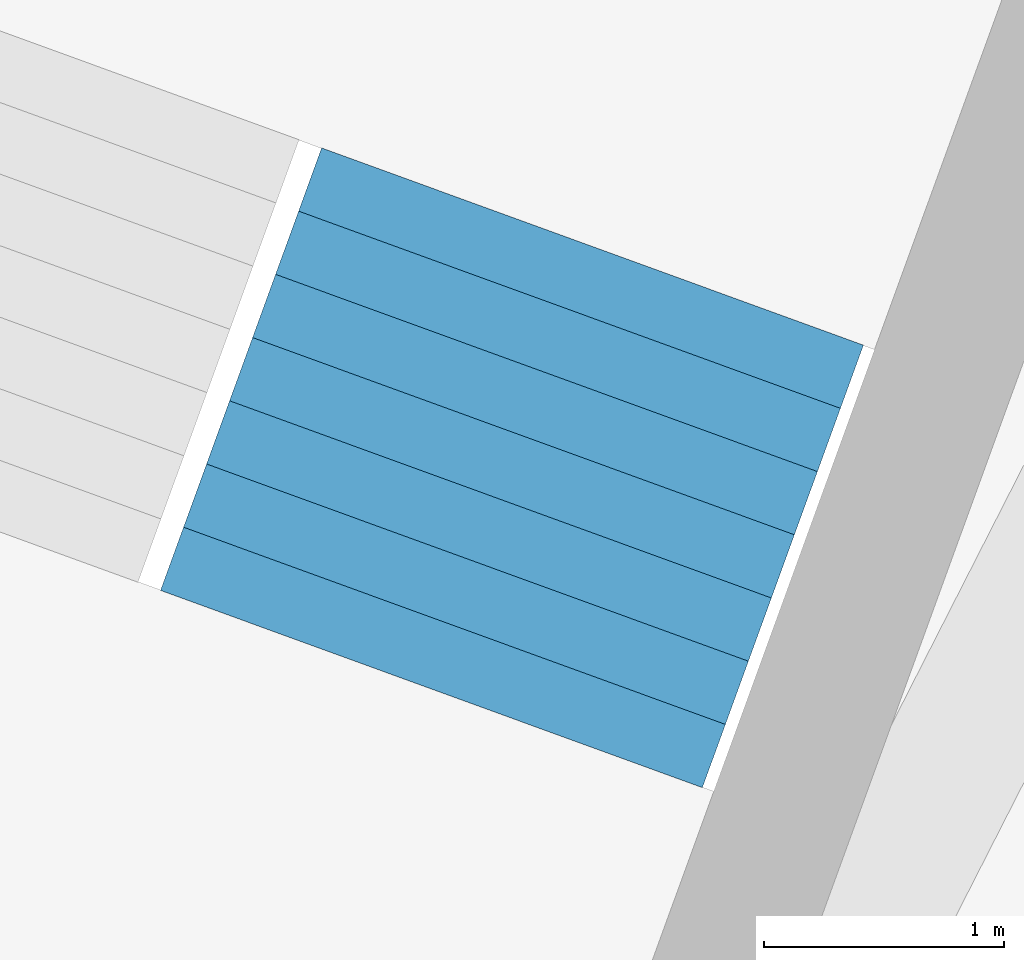
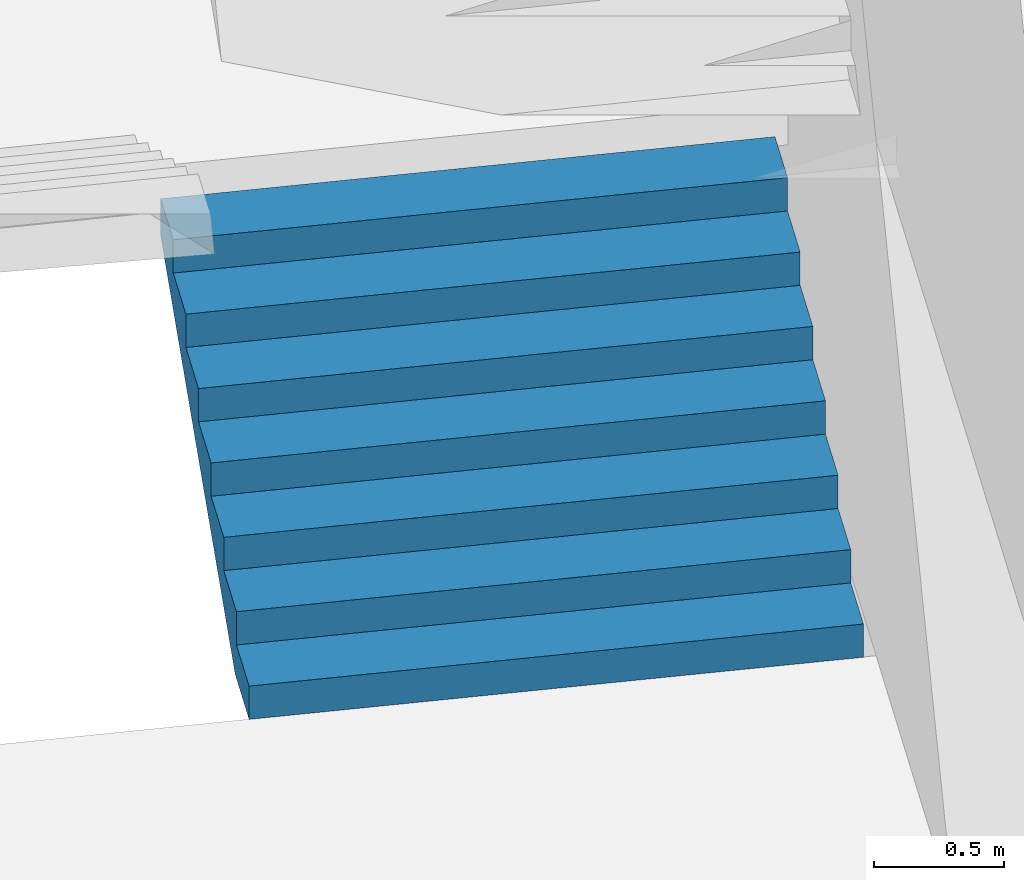
# One storey, part 47 of 73: 1 stair flight, 1 element without a shape of its own.
"""IFC4 building model written with IfcOpenShell, lengths in metres."""

from ifc_helpers import new_model, si_unit, direction, frame, origin, place, context, subcontext, project, spatial, triangles, material, type_object, element, aggregate, save


model = new_model("IFC4")

# Units and contexts
model_context = context("Model", 3, precision=1e-05, world=origin(), true_north=direction((0.0, 1.0)))
body_context = subcontext(model_context, "Body", "Model", "MODEL_VIEW")
ifc_project = project(units=[si_unit("LENGTHUNIT", "METRE"), si_unit("AREAUNIT", "SQUARE_METRE"), si_unit("VOLUMEUNIT", "CUBIC_METRE"), si_unit("PLANEANGLEUNIT", "RADIAN"), si_unit("MASSUNIT", "GRAM", prefix="KILO")], contexts=[model_context])

# Site, building, storey
site_placement = place(None, origin())
site = spatial("IfcSite", under=ifc_project, at=site_placement, CompositionType="ELEMENT")
building_placement = place(site_placement, origin())
building = spatial("IfcBuilding", under=site, at=building_placement, Name="Lantaw Convention Tower", CompositionType="ELEMENT")
storey_placement = place(building_placement, frame((0.0, 0.0, 27.0)))
storey = spatial("IfcBuildingStorey", under=building, at=storey_placement, Name="L04", CompositionType="ELEMENT", Elevation=27.0)

# Stair, stair flight
ifc_material = material(Name="Concrete C35/45", Category="concrete")
stair_type = type_object("IfcStairType", Name="Exit stair 2400 riser 156.25 in 4 flights", PredefinedType="HALF_TURN_STAIR", material=ifc_material)
stair_placement = place(storey_placement, origin())
stair = element("IfcStair", 1, at=stair_placement, inside=storey, type_object=stair_type, Name="Podium exit stair P5 L04", PredefinedType="HALF_TURN_STAIR")
stair_flight_type = type_object("IfcStairFlightType", Name="Stair flight 2400 riser 156.25", PredefinedType="STRAIGHT", material=ifc_material)
stair_flight_placement = place(storey_placement, frame((10.476318359375, 25.128662109375, 0.0), z_axis=(0.0, 0.0, 1.0), x_axis=(0.342020143326, 0.939692620786, 0.0)))
stair_flight = element("IfcStairFlight", 2, at=stair_flight_placement, type_object=stair_flight_type, Name="P5 flight 1", NumberOfRisers=8, NumberOfTreads=7, PredefinedType="STRAIGHT", RiserHeight=0.15625, TreadLength=0.28, context=body_context, shape_type="Tessellation", body=[
    triangles([(0.0, 1.199951171875, 0.0), (0.0, 1.199951171875, 0.15625), (0.28, 1.199951171875, 0.0), (0.28, 1.199951171875, 0.15625), (0.28, 1.199951171875, 0.3125), (0.3076200632058044, 1.199951171875, 0.0), (0.3076200632058044, 1.199951171875, 0.3125), (0.56, 1.199951171875, 0.14083701830033238), (0.56, 1.199951171875, 0.3125), (0.56, 1.199951171875, 0.46875), (0.8400000000000001, 1.199951171875, 0.29708701830033235), (0.8400000000000001, 1.199951171875, 0.46875), (0.8400000000000001, 1.199951171875, 0.625), (1.12, 1.199951171875, 0.45333701830033235), (1.12, 1.199951171875, 0.625), (1.12, 1.199951171875, 0.78125), (1.4000000000000001, 1.199951171875, 0.6095870183003324), (1.4000000000000001, 1.199951171875, 0.78125), (1.4000000000000001, 1.199951171875, 0.9375), (1.6800000000000002, 1.199951171875, 0.7658370183003324), (1.6800000000000002, 1.199951171875, 0.9375), (1.6800000000000002, 1.199951171875, 1.09375), (1.9600000000000002, 1.199951171875, 0.9220870183003324), (1.9600000000000002, 1.199951171875, 1.09375), (0.0, -1.199951171875, 0.0), (0.0, -1.199951171875, 0.15625), (0.28, -1.199951171875, 0.0), (0.28, -1.199951171875, 0.15625), (0.28, -1.199951171875, 0.3125), (0.3076200632058044, -1.199951171875, 0.0), (0.3076200632058044, -1.199951171875, 0.3125), (0.56, -1.199951171875, 0.14083701830033238), (0.56, -1.199951171875, 0.3125), (0.56, -1.199951171875, 0.46875), (0.8400000000000001, -1.199951171875, 0.29708701830033235), (0.8400000000000001, -1.199951171875, 0.46875), (0.8400000000000001, -1.199951171875, 0.625), (1.12, -1.199951171875, 0.45333701830033235), (1.12, -1.199951171875, 0.625), (1.12, -1.199951171875, 0.78125), (1.4000000000000001, -1.199951171875, 0.6095870183003324), (1.4000000000000001, -1.199951171875, 0.78125), (1.4000000000000001, -1.199951171875, 0.9375), (1.6800000000000002, -1.199951171875, 0.7658370183003324), (1.6800000000000002, -1.199951171875, 0.9375), (1.6800000000000002, -1.199951171875, 1.09375), (1.9600000000000002, -1.199951171875, 0.9220870183003324), (1.9600000000000002, -1.199951171875, 1.09375), (0.0, 0.239990234375, 0.15625), (0.0, 0.239990234375, 0.0), (0.0, 0.1919921875, 0.15625), (0.0, 0.1919921875, 0.0), (0.0, 0.143994140625, 0.15625), (0.0, 0.143994140625, 0.0), (0.0, 0.09599609375, 0.15625), (0.0, 0.09599609375, 0.0), (0.0, 0.047998046875, 0.15625), (0.0, 0.047998046875, 0.0), (0.0, 0.0, 0.15625), (0.0, 0.0, 0.0), (0.0, -0.047998046875, 0.15625), (0.0, -0.047998046875, 0.0), (0.0, -0.09599609375, 0.15625), (0.0, -0.09599609375, 0.0), (0.0, -0.143994140625, 0.15625), (0.0, -0.143994140625, 0.0), (0.0, -0.1919921875, 0.15625), (0.0, -0.1919921875, 0.0), (0.0, -0.239990234375, 0.15625), (0.0, -0.239990234375, 0.0), (0.28, 0.239990234375, 0.3125), (0.28, 0.239990234375, 0.15625), (0.28, 0.1919921875, 0.3125), (0.28, 0.1919921875, 0.15625), (0.28, 0.143994140625, 0.3125), (0.28, 0.143994140625, 0.15625), (0.28, 0.09599609375, 0.3125), (0.28, 0.09599609375, 0.15625), (0.28, 0.047998046875, 0.3125), (0.28, 0.047998046875, 0.15625), (0.28, 0.0, 0.3125), (0.28, 0.0, 0.15625), (0.28, -0.047998046875, 0.3125), (0.28, -0.047998046875, 0.15625), (0.28, -0.09599609375, 0.3125), (0.28, -0.09599609375, 0.15625), (0.28, -0.143994140625, 0.3125), (0.28, -0.143994140625, 0.15625), (0.28, -0.1919921875, 0.3125), (0.28, -0.1919921875, 0.15625), (0.28, -0.239990234375, 0.3125), (0.28, -0.239990234375, 0.15625), (0.56, 0.239990234375, 0.46875), (0.56, 0.239990234375, 0.3125), (0.56, 0.1919921875, 0.46875), (0.56, 0.1919921875, 0.3125), (0.56, 0.143994140625, 0.46875), (0.56, 0.143994140625, 0.3125), (0.56, 0.09599609375, 0.46875), (0.56, 0.09599609375, 0.3125), (0.56, 0.047998046875, 0.46875), (0.56, 0.047998046875, 0.3125), (0.56, 0.0, 0.46875), (0.56, 0.0, 0.3125), (0.56, -0.047998046875, 0.46875), (0.56, -0.047998046875, 0.3125), (0.56, -0.09599609375, 0.46875), (0.56, -0.09599609375, 0.3125), (0.56, -0.143994140625, 0.46875), (0.56, -0.143994140625, 0.3125), (0.56, -0.1919921875, 0.46875), (0.56, -0.1919921875, 0.3125), (0.56, -0.239990234375, 0.46875), (0.56, -0.239990234375, 0.3125), (0.8400000000000001, 0.239990234375, 0.625), (0.8400000000000001, 0.239990234375, 0.46875), (0.8400000000000001, 0.1919921875, 0.625), (0.8400000000000001, 0.1919921875, 0.46875), (0.8400000000000001, 0.143994140625, 0.625), (0.8400000000000001, 0.143994140625, 0.46875), (0.8400000000000001, 0.09599609375, 0.625), (0.8400000000000001, 0.09599609375, 0.46875), (0.8400000000000001, 0.047998046875, 0.625), (0.8400000000000001, 0.047998046875, 0.46875), (0.8400000000000001, 0.0, 0.625), (0.8400000000000001, 0.0, 0.46875), (0.8400000000000001, -0.047998046875, 0.625), (0.8400000000000001, -0.047998046875, 0.46875), (0.8400000000000001, -0.09599609375, 0.625), (0.8400000000000001, -0.09599609375, 0.46875), (0.8400000000000001, -0.143994140625, 0.625), (0.8400000000000001, -0.143994140625, 0.46875), (0.8400000000000001, -0.1919921875, 0.625), (0.8400000000000001, -0.1919921875, 0.46875), (0.8400000000000001, -0.239990234375, 0.625), (0.8400000000000001, -0.239990234375, 0.46875), (1.12, 0.239990234375, 0.78125), (1.12, 0.239990234375, 0.625), (1.12, 0.1919921875, 0.78125), (1.12, 0.1919921875, 0.625), (1.12, 0.143994140625, 0.78125), (1.12, 0.143994140625, 0.625), (1.12, 0.09599609375, 0.78125), (1.12, 0.09599609375, 0.625), (1.12, 0.047998046875, 0.78125), (1.12, 0.047998046875, 0.625), (1.12, 0.0, 0.78125), (1.12, 0.0, 0.625), (1.12, -0.047998046875, 0.78125), (1.12, -0.047998046875, 0.625), (1.12, -0.09599609375, 0.78125), (1.12, -0.09599609375, 0.625), (1.12, -0.143994140625, 0.78125), (1.12, -0.143994140625, 0.625), (1.12, -0.1919921875, 0.78125), (1.12, -0.1919921875, 0.625), (1.12, -0.239990234375, 0.78125), (1.12, -0.239990234375, 0.625), (1.4000000000000001, 0.239990234375, 0.9375), (1.4000000000000001, 0.239990234375, 0.78125), (1.4000000000000001, 0.1919921875, 0.9375), (1.4000000000000001, 0.1919921875, 0.78125), (1.4000000000000001, 0.143994140625, 0.9375), (1.4000000000000001, 0.143994140625, 0.78125), (1.4000000000000001, 0.09599609375, 0.9375), (1.4000000000000001, 0.09599609375, 0.78125), (1.4000000000000001, 0.047998046875, 0.9375), (1.4000000000000001, 0.047998046875, 0.78125), (1.4000000000000001, 0.0, 0.9375), (1.4000000000000001, 0.0, 0.78125), (1.4000000000000001, -0.047998046875, 0.9375), (1.4000000000000001, -0.047998046875, 0.78125), (1.4000000000000001, -0.09599609375, 0.9375), (1.4000000000000001, -0.09599609375, 0.78125), (1.4000000000000001, -0.143994140625, 0.9375), (1.4000000000000001, -0.143994140625, 0.78125), (1.4000000000000001, -0.1919921875, 0.9375), (1.4000000000000001, -0.1919921875, 0.78125), (1.4000000000000001, -0.239990234375, 0.9375), (1.4000000000000001, -0.239990234375, 0.78125), (1.6800000000000002, 0.239990234375, 1.09375), (1.6800000000000002, 0.239990234375, 0.9375), (1.6800000000000002, 0.1919921875, 1.09375), (1.6800000000000002, 0.1919921875, 0.9375), (1.6800000000000002, 0.143994140625, 1.09375), (1.6800000000000002, 0.143994140625, 0.9375), (1.6800000000000002, 0.09599609375, 1.09375), (1.6800000000000002, 0.09599609375, 0.9375), (1.6800000000000002, 0.047998046875, 1.09375), (1.6800000000000002, 0.047998046875, 0.9375), (1.6800000000000002, 0.0, 1.09375), (1.6800000000000002, 0.0, 0.9375), (1.6800000000000002, -0.047998046875, 1.09375), (1.6800000000000002, -0.047998046875, 0.9375), (1.6800000000000002, -0.09599609375, 1.09375), (1.6800000000000002, -0.09599609375, 0.9375), (1.6800000000000002, -0.143994140625, 1.09375), (1.6800000000000002, -0.143994140625, 0.9375), (1.6800000000000002, -0.1919921875, 1.09375), (1.6800000000000002, -0.1919921875, 0.9375), (1.6800000000000002, -0.239990234375, 1.09375), (1.6800000000000002, -0.239990234375, 0.9375), (0.3076200632058044, 0.239990234375, 0.3125), (0.3076200632058044, 0.1919921875, 0.3125), (0.3076200632058044, 0.143994140625, 0.3125), (0.3076200632058044, 0.09599609375, 0.3125), (0.3076200632058044, 0.047998046875, 0.3125), (0.3076200632058044, 0.0, 0.3125), (0.3076200632058044, -0.047998046875, 0.3125), (0.3076200632058044, -0.09599609375, 0.3125), (0.3076200632058044, -0.143994140625, 0.3125), (0.3076200632058044, -0.1919921875, 0.3125), (0.3076200632058044, -0.239990234375, 0.3125), (1.9600000000000002, 0.239990234375, 1.09375), (1.9600000000000002, 0.1919921875, 1.09375), (1.9600000000000002, 0.143994140625, 1.09375), (1.9600000000000002, 0.09599609375, 1.09375), (1.9600000000000002, 0.047998046875, 1.09375), (1.9600000000000002, 0.0, 1.09375), (1.9600000000000002, -0.047998046875, 1.09375), (1.9600000000000002, -0.09599609375, 1.09375), (1.9600000000000002, -0.143994140625, 1.09375), (1.9600000000000002, -0.1919921875, 1.09375), (1.9600000000000002, -0.239990234375, 1.09375), (1.9600000000000002, 0.239990234375, 0.9220870183003324), (1.9600000000000002, 0.1919921875, 0.9220870183003324), (1.9600000000000002, 0.143994140625, 0.9220870183003324), (1.9600000000000002, 0.09599609375, 0.9220870183003324), (1.9600000000000002, 0.047998046875, 0.9220870183003324), (1.9600000000000002, 0.0, 0.9220870183003324), (1.9600000000000002, -0.047998046875, 0.9220870183003324), (1.9600000000000002, -0.09599609375, 0.9220870183003324), (1.9600000000000002, -0.143994140625, 0.9220870183003324), (1.9600000000000002, -0.1919921875, 0.9220870183003324), (1.9600000000000002, -0.239990234375, 0.9220870183003324), (1.6800000000000002, 0.239990234375, 0.7658370183003324), (1.6800000000000002, 0.1919921875, 0.7658370183003324), (1.6800000000000002, 0.143994140625, 0.7658370183003324), (1.6800000000000002, 0.09599609375, 0.7658370183003324), (1.6800000000000002, 0.047998046875, 0.7658370183003324), (1.6800000000000002, 0.0, 0.7658370183003324), (1.6800000000000002, -0.047998046875, 0.7658370183003324), (1.6800000000000002, -0.09599609375, 0.7658370183003324), (1.6800000000000002, -0.143994140625, 0.7658370183003324), (1.6800000000000002, -0.1919921875, 0.7658370183003324), (1.6800000000000002, -0.239990234375, 0.7658370183003324), (1.4000000000000001, 0.239990234375, 0.6095870183003324), (1.4000000000000001, 0.1919921875, 0.6095870183003324), (1.4000000000000001, 0.143994140625, 0.6095870183003324), (1.4000000000000001, 0.09599609375, 0.6095870183003324), (1.4000000000000001, 0.047998046875, 0.6095870183003324), (1.4000000000000001, 0.0, 0.6095870183003324), (1.4000000000000001, -0.047998046875, 0.6095870183003324), (1.4000000000000001, -0.09599609375, 0.6095870183003324), (1.4000000000000001, -0.143994140625, 0.6095870183003324), (1.4000000000000001, -0.1919921875, 0.6095870183003324), (1.4000000000000001, -0.239990234375, 0.6095870183003324), (1.12, 0.239990234375, 0.45333701830033235), (1.12, 0.1919921875, 0.45333701830033235), (1.12, 0.143994140625, 0.45333701830033235), (1.12, 0.09599609375, 0.45333701830033235), (1.12, 0.047998046875, 0.45333701830033235), (1.12, 0.0, 0.45333701830033235), (1.12, -0.047998046875, 0.45333701830033235), (1.12, -0.09599609375, 0.45333701830033235), (1.12, -0.143994140625, 0.45333701830033235), (1.12, -0.1919921875, 0.45333701830033235), (1.12, -0.239990234375, 0.45333701830033235), (0.8400000000000001, 0.239990234375, 0.29708701830033235), (0.8400000000000001, 0.1919921875, 0.29708701830033235), (0.8400000000000001, 0.143994140625, 0.29708701830033235), (0.8400000000000001, 0.09599609375, 0.29708701830033235), (0.8400000000000001, 0.047998046875, 0.29708701830033235), (0.8400000000000001, 0.0, 0.29708701830033235), (0.8400000000000001, -0.047998046875, 0.29708701830033235), (0.8400000000000001, -0.09599609375, 0.29708701830033235), (0.8400000000000001, -0.143994140625, 0.29708701830033235), (0.8400000000000001, -0.1919921875, 0.29708701830033235), (0.8400000000000001, -0.239990234375, 0.29708701830033235), (0.56, 0.239990234375, 0.14083701830033238), (0.56, 0.1919921875, 0.14083701830033238), (0.56, 0.143994140625, 0.14083701830033238), (0.56, 0.09599609375, 0.14083701830033238), (0.56, 0.047998046875, 0.14083701830033238), (0.56, 0.0, 0.14083701830033238), (0.56, -0.047998046875, 0.14083701830033238), (0.56, -0.09599609375, 0.14083701830033238), (0.56, -0.143994140625, 0.14083701830033238), (0.56, -0.1919921875, 0.14083701830033238), (0.56, -0.239990234375, 0.14083701830033238), (0.3076200632058044, 0.239990234375, 0.0), (0.3076200632058044, 0.1919921875, 0.0), (0.3076200632058044, 0.143994140625, 0.0), (0.3076200632058044, 0.09599609375, 0.0), (0.3076200632058044, 0.047998046875, 0.0), (0.3076200632058044, 0.0, 0.0), (0.3076200632058044, -0.047998046875, 0.0), (0.3076200632058044, -0.09599609375, 0.0), (0.3076200632058044, -0.143994140625, 0.0), (0.3076200632058044, -0.1919921875, 0.0), (0.3076200632058044, -0.239990234375, 0.0), (0.28, 0.239990234375, 0.0), (0.28, 0.1919921875, 0.0), (0.28, 0.143994140625, 0.0), (0.28, 0.09599609375, 0.0), (0.28, 0.047998046875, 0.0), (0.28, 0.0, 0.0), (0.28, -0.047998046875, 0.0), (0.28, -0.09599609375, 0.0), (0.28, -0.143994140625, 0.0), (0.28, -0.1919921875, 0.0), (0.28, -0.239990234375, 0.0)], [[1, 4, 3], [1, 2, 4], [3, 4, 6], [4, 7, 6], [4, 5, 7], [6, 9, 8], [6, 7, 9], [8, 9, 11], [9, 12, 11], [9, 10, 12], [11, 12, 14], [12, 15, 14], [12, 13, 15], [14, 15, 17], [15, 18, 17], [15, 16, 18], [17, 18, 20], [18, 21, 20], [18, 19, 21], [20, 21, 23], [21, 24, 23], [21, 22, 24], [25, 27, 28], [25, 28, 26], [27, 30, 28], [28, 30, 31], [28, 31, 29], [30, 32, 33], [30, 33, 31], [32, 35, 33], [33, 35, 36], [33, 36, 34], [35, 38, 36], [36, 38, 39], [36, 39, 37], [38, 41, 39], [39, 41, 42], [39, 42, 40], [41, 44, 42], [42, 44, 45], [42, 45, 43], [44, 47, 45], [45, 47, 48], [45, 48, 46], [1, 49, 2], [1, 50, 49], [50, 51, 49], [50, 52, 51], [52, 53, 51], [52, 54, 53], [54, 55, 53], [54, 56, 55], [56, 57, 55], [56, 58, 57], [58, 59, 57], [58, 60, 59], [60, 61, 59], [60, 62, 61], [62, 63, 61], [62, 64, 63], [64, 65, 63], [64, 66, 65], [66, 67, 65], [66, 68, 67], [68, 69, 67], [68, 70, 69], [70, 26, 69], [70, 25, 26], [4, 71, 5], [4, 72, 71], [72, 73, 71], [72, 74, 73], [74, 75, 73], [74, 76, 75], [76, 77, 75], [76, 78, 77], [78, 79, 77], [78, 80, 79], [80, 81, 79], [80, 82, 81], [82, 83, 81], [82, 84, 83], [84, 85, 83], [84, 86, 85], [86, 87, 85], [86, 88, 87], [88, 89, 87], [88, 90, 89], [90, 91, 89], [90, 92, 91], [92, 29, 91], [92, 28, 29], [9, 93, 10], [9, 94, 93], [94, 95, 93], [94, 96, 95], [96, 97, 95], [96, 98, 97], [98, 99, 97], [98, 100, 99], [100, 101, 99], [100, 102, 101], [102, 103, 101], [102, 104, 103], [104, 105, 103], [104, 106, 105], [106, 107, 105], [106, 108, 107], [108, 109, 107], [108, 110, 109], [110, 111, 109], [110, 112, 111], [112, 113, 111], [112, 114, 113], [114, 34, 113], [114, 33, 34], [12, 115, 13], [12, 116, 115], [116, 117, 115], [116, 118, 117], [118, 119, 117], [118, 120, 119], [120, 121, 119], [120, 122, 121], [122, 123, 121], [122, 124, 123], [124, 125, 123], [124, 126, 125], [126, 127, 125], [126, 128, 127], [128, 129, 127], [128, 130, 129], [130, 131, 129], [130, 132, 131], [132, 133, 131], [132, 134, 133], [134, 135, 133], [134, 136, 135], [136, 37, 135], [136, 36, 37], [15, 137, 16], [15, 138, 137], [138, 139, 137], [138, 140, 139], [140, 141, 139], [140, 142, 141], [142, 143, 141], [142, 144, 143], [144, 145, 143], [144, 146, 145], [146, 147, 145], [146, 148, 147], [148, 149, 147], [148, 150, 149], [150, 151, 149], [150, 152, 151], [152, 153, 151], [152, 154, 153], [154, 155, 153], [154, 156, 155], [156, 157, 155], [156, 158, 157], [158, 40, 157], [158, 39, 40], [18, 159, 19], [18, 160, 159], [160, 161, 159], [160, 162, 161], [162, 163, 161], [162, 164, 163], [164, 165, 163], [164, 166, 165], [166, 167, 165], [166, 168, 167], [168, 169, 167], [168, 170, 169], [170, 171, 169], [170, 172, 171], [172, 173, 171], [172, 174, 173], [174, 175, 173], [174, 176, 175], [176, 177, 175], [176, 178, 177], [178, 179, 177], [178, 180, 179], [180, 43, 179], [180, 42, 43], [21, 181, 22], [21, 182, 181], [182, 183, 181], [182, 184, 183], [184, 185, 183], [184, 186, 185], [186, 187, 185], [186, 188, 187], [188, 189, 187], [188, 190, 189], [190, 191, 189], [190, 192, 191], [192, 193, 191], [192, 194, 193], [194, 195, 193], [194, 196, 195], [196, 197, 195], [196, 198, 197], [198, 199, 197], [198, 200, 199], [200, 201, 199], [200, 202, 201], [202, 46, 201], [202, 45, 46], [2, 72, 4], [2, 49, 72], [49, 74, 72], [49, 51, 74], [51, 76, 74], [51, 53, 76], [53, 78, 76], [53, 55, 78], [55, 80, 78], [55, 57, 80], [57, 82, 80], [57, 59, 82], [59, 84, 82], [59, 61, 84], [61, 86, 84], [61, 63, 86], [63, 88, 86], [63, 65, 88], [65, 90, 88], [65, 67, 90], [67, 92, 90], [67, 69, 92], [69, 28, 92], [69, 26, 28], [5, 203, 7], [5, 71, 203], [71, 204, 203], [71, 73, 204], [73, 205, 204], [73, 75, 205], [75, 206, 205], [75, 77, 206], [77, 207, 206], [77, 79, 207], [79, 208, 207], [79, 81, 208], [81, 209, 208], [81, 83, 209], [83, 210, 209], [83, 85, 210], [85, 211, 210], [85, 87, 211], [87, 212, 211], [87, 89, 212], [89, 213, 212], [89, 91, 213], [91, 31, 213], [91, 29, 31], [7, 94, 9], [7, 203, 94], [203, 96, 94], [203, 204, 96], [204, 98, 96], [204, 205, 98], [205, 100, 98], [205, 206, 100], [206, 102, 100], [206, 207, 102], [207, 104, 102], [207, 208, 104], [208, 106, 104], [208, 209, 106], [209, 108, 106], [209, 210, 108], [210, 110, 108], [210, 211, 110], [211, 112, 110], [211, 212, 112], [212, 114, 112], [212, 213, 114], [213, 33, 114], [213, 31, 33], [10, 116, 12], [10, 93, 116], [93, 118, 116], [93, 95, 118], [95, 120, 118], [95, 97, 120], [97, 122, 120], [97, 99, 122], [99, 124, 122], [99, 101, 124], [101, 126, 124], [101, 103, 126], [103, 128, 126], [103, 105, 128], [105, 130, 128], [105, 107, 130], [107, 132, 130], [107, 109, 132], [109, 134, 132], [109, 111, 134], [111, 136, 134], [111, 113, 136], [113, 36, 136], [113, 34, 36], [13, 138, 15], [13, 115, 138], [115, 140, 138], [115, 117, 140], [117, 142, 140], [117, 119, 142], [119, 144, 142], [119, 121, 144], [121, 146, 144], [121, 123, 146], [123, 148, 146], [123, 125, 148], [125, 150, 148], [125, 127, 150], [127, 152, 150], [127, 129, 152], [129, 154, 152], [129, 131, 154], [131, 156, 154], [131, 133, 156], [133, 158, 156], [133, 135, 158], [135, 39, 158], [135, 37, 39], [16, 160, 18], [16, 137, 160], [137, 162, 160], [137, 139, 162], [139, 164, 162], [139, 141, 164], [141, 166, 164], [141, 143, 166], [143, 168, 166], [143, 145, 168], [145, 170, 168], [145, 147, 170], [147, 172, 170], [147, 149, 172], [149, 174, 172], [149, 151, 174], [151, 176, 174], [151, 153, 176], [153, 178, 176], [153, 155, 178], [155, 180, 178], [155, 157, 180], [157, 42, 180], [157, 40, 42], [19, 182, 21], [19, 159, 182], [159, 184, 182], [159, 161, 184], [161, 186, 184], [161, 163, 186], [163, 188, 186], [163, 165, 188], [165, 190, 188], [165, 167, 190], [167, 192, 190], [167, 169, 192], [169, 194, 192], [169, 171, 194], [171, 196, 194], [171, 173, 196], [173, 198, 196], [173, 175, 198], [175, 200, 198], [175, 177, 200], [177, 202, 200], [177, 179, 202], [179, 45, 202], [179, 43, 45], [22, 214, 24], [22, 181, 214], [181, 215, 214], [181, 183, 215], [183, 216, 215], [183, 185, 216], [185, 217, 216], [185, 187, 217], [187, 218, 217], [187, 189, 218], [189, 219, 218], [189, 191, 219], [191, 220, 219], [191, 193, 220], [193, 221, 220], [193, 195, 221], [195, 222, 221], [195, 197, 222], [197, 223, 222], [197, 199, 223], [199, 224, 223], [199, 201, 224], [201, 48, 224], [201, 46, 48], [24, 225, 23], [24, 214, 225], [214, 226, 225], [214, 215, 226], [215, 227, 226], [215, 216, 227], [216, 228, 227], [216, 217, 228], [217, 229, 228], [217, 218, 229], [218, 230, 229], [218, 219, 230], [219, 231, 230], [219, 220, 231], [220, 232, 231], [220, 221, 232], [221, 233, 232], [221, 222, 233], [222, 234, 233], [222, 223, 234], [223, 235, 234], [223, 224, 235], [224, 47, 235], [224, 48, 47], [23, 236, 20], [23, 225, 236], [225, 237, 236], [225, 226, 237], [226, 238, 237], [226, 227, 238], [227, 239, 238], [227, 228, 239], [228, 240, 239], [228, 229, 240], [229, 241, 240], [229, 230, 241], [230, 242, 241], [230, 231, 242], [231, 243, 242], [231, 232, 243], [232, 244, 243], [232, 233, 244], [233, 245, 244], [233, 234, 245], [234, 246, 245], [234, 235, 246], [235, 44, 246], [235, 47, 44], [20, 247, 17], [20, 236, 247], [236, 248, 247], [236, 237, 248], [237, 249, 248], [237, 238, 249], [238, 250, 249], [238, 239, 250], [239, 251, 250], [239, 240, 251], [240, 252, 251], [240, 241, 252], [241, 253, 252], [241, 242, 253], [242, 254, 253], [242, 243, 254], [243, 255, 254], [243, 244, 255], [244, 256, 255], [244, 245, 256], [245, 257, 256], [245, 246, 257], [246, 41, 257], [246, 44, 41], [17, 258, 14], [17, 247, 258], [247, 259, 258], [247, 248, 259], [248, 260, 259], [248, 249, 260], [249, 261, 260], [249, 250, 261], [250, 262, 261], [250, 251, 262], [251, 263, 262], [251, 252, 263], [252, 264, 263], [252, 253, 264], [253, 265, 264], [253, 254, 265], [254, 266, 265], [254, 255, 266], [255, 267, 266], [255, 256, 267], [256, 268, 267], [256, 257, 268], [257, 38, 268], [257, 41, 38], [14, 269, 11], [14, 258, 269], [258, 270, 269], [258, 259, 270], [259, 271, 270], [259, 260, 271], [260, 272, 271], [260, 261, 272], [261, 273, 272], [261, 262, 273], [262, 274, 273], [262, 263, 274], [263, 275, 274], [263, 264, 275], [264, 276, 275], [264, 265, 276], [265, 277, 276], [265, 266, 277], [266, 278, 277], [266, 267, 278], [267, 279, 278], [267, 268, 279], [268, 35, 279], [268, 38, 35], [11, 280, 8], [11, 269, 280], [269, 281, 280], [269, 270, 281], [270, 282, 281], [270, 271, 282], [271, 283, 282], [271, 272, 283], [272, 284, 283], [272, 273, 284], [273, 285, 284], [273, 274, 285], [274, 286, 285], [274, 275, 286], [275, 287, 286], [275, 276, 287], [276, 288, 287], [276, 277, 288], [277, 289, 288], [277, 278, 289], [278, 290, 289], [278, 279, 290], [279, 32, 290], [279, 35, 32], [8, 291, 6], [8, 280, 291], [280, 292, 291], [280, 281, 292], [281, 293, 292], [281, 282, 293], [282, 294, 293], [282, 283, 294], [283, 295, 294], [283, 284, 295], [284, 296, 295], [284, 285, 296], [285, 297, 296], [285, 286, 297], [286, 298, 297], [286, 287, 298], [287, 299, 298], [287, 288, 299], [288, 300, 299], [288, 289, 300], [289, 301, 300], [289, 290, 301], [290, 30, 301], [290, 32, 30], [6, 302, 3], [6, 291, 302], [291, 303, 302], [291, 292, 303], [292, 304, 303], [292, 293, 304], [293, 305, 304], [293, 294, 305], [294, 306, 305], [294, 295, 306], [295, 307, 306], [295, 296, 307], [296, 308, 307], [296, 297, 308], [297, 309, 308], [297, 298, 309], [298, 310, 309], [298, 299, 310], [299, 311, 310], [299, 300, 311], [300, 312, 311], [300, 301, 312], [301, 27, 312], [301, 30, 27], [3, 50, 1], [3, 302, 50], [302, 52, 50], [302, 303, 52], [303, 54, 52], [303, 304, 54], [304, 56, 54], [304, 305, 56], [305, 58, 56], [305, 306, 58], [306, 60, 58], [306, 307, 60], [307, 62, 60], [307, 308, 62], [308, 64, 62], [308, 309, 64], [309, 66, 64], [309, 310, 66], [310, 68, 66], [310, 311, 68], [311, 70, 68], [311, 312, 70], [312, 25, 70], [312, 27, 25]], closed=True),
])
aggregate(stair, [stair_flight])

save(model, "model.ifc")
